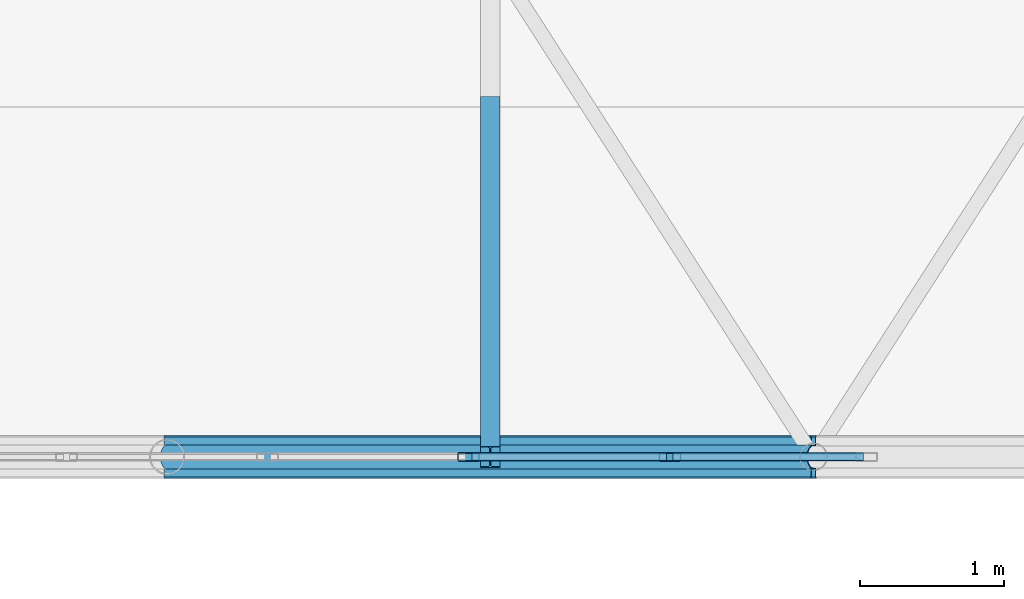
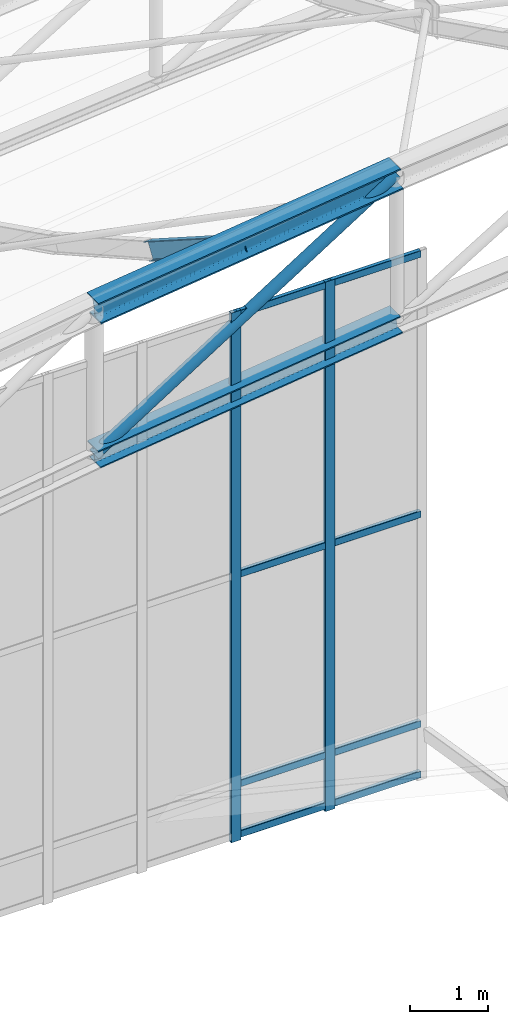
# One storey, part 137 of 262: 14 members, 1 element without a shape of its own.
"""IFC4 building model written with IfcOpenShell, lengths in metres."""

import ifcopenshell
import ifcopenshell.guid

model = None  # the IFC model being written
_history = None  # IfcOwnerHistory: only IFC2X3 demands one
_inside = {}  # id of a spatial element -> (the spatial element, [elements in it])
_under = {}  # id of a project, library or spatial element -> (it, [spatial elements below it])
_declared = {}  # id of a project -> (the project, [libraries it declares])
_typed = {}  # id of a type object -> (the type object, [elements of that type])
_made_of = {}  # id of a material, layer set ... -> (it, [elements and type objects made of it])


def new_model(schema):
    """Start an empty IFC model of exactly this schema.

    Asked for "IFC4X3", IfcOpenShell would pick the latest addendum, in which some entities
    have other attributes; the version numbers below select the first issue.
    IFC2X3 requires an IfcOwnerHistory on every rooted entity: one is made here for all.
    """
    global model, _history
    if schema == "IFC4X3":
        model = ifcopenshell.file(schema_version=(4, 3, 0, 0))
    else:
        model = ifcopenshell.file(schema=schema)
    _inside.clear()
    _under.clear()
    _declared.clear()
    _typed.clear()
    _made_of.clear()
    _history = None
    if model.schema == "IFC2X3":
        org = make("IfcOrganization", Name="unknown")
        user = make(
            "IfcPersonAndOrganization",
            ThePerson=make("IfcPerson", FamilyName="unknown"),
            TheOrganization=org,
        )
        app = make(
            "IfcApplication",
            ApplicationDeveloper=org,
            Version="unknown",
            ApplicationFullName="unknown",
            ApplicationIdentifier="unknown",
        )
        _history = make(
            "IfcOwnerHistory",
            OwningUser=user,
            OwningApplication=app,
            ChangeAction="ADDED",
            CreationDate=0,
        )
    return model


def make(cls, **values):
    """One entity of the class cls with the attributes given. An attribute that is None is left unset."""
    return model.create_entity(
        cls, **{name: value for name, value in values.items() if value is not None}
    )


def rooted(cls, **values):
    """An entity with a GlobalId (a new one), such as an element, a storey or a relation."""
    return make(cls, GlobalId=ifcopenshell.guid.new(), OwnerHistory=_history, **values)


def si_unit(unit_type, name, prefix=None):
    """IfcSIUnit, for example si_unit("LENGTHUNIT", "METRE", prefix="MILLI")."""
    return make("IfcSIUnit", UnitType=unit_type, Prefix=prefix, Name=name)


def derived_unit(unit_type, elements):
    """IfcDerivedUnit: a product of units, each with its exponent."""
    return make(
        "IfcDerivedUnit",
        Elements=[
            make("IfcDerivedUnitElement", Unit=unit, Exponent=power)
            for unit, power in elements
        ],
        UnitType=unit_type,
    )


def assignment(units):
    """IfcUnitAssignment: the units of a project."""
    return None if units is None else make("IfcUnitAssignment", Units=units)


def point(xyz):
    """IfcCartesianPoint."""
    return None if xyz is None else make("IfcCartesianPoint", Coordinates=xyz)


def direction(xyz):
    """IfcDirection."""
    return None if xyz is None else make("IfcDirection", DirectionRatios=xyz)


def frame(location, z_axis=None, x_axis=None):
    """IfcAxis2Placement3D, a coordinate frame: its origin and axes. An axis left out is left unset."""
    return make(
        "IfcAxis2Placement3D",
        Location=point(location),
        Axis=direction(z_axis),
        RefDirection=direction(x_axis),
    )


def frame_2d(location, x_axis=None):
    """IfcAxis2Placement2D, a coordinate frame in the plane: its origin and x axis."""
    return make(
        "IfcAxis2Placement2D", Location=point(location), RefDirection=direction(x_axis)
    )


def origin():
    """The frame at (0, 0, 0) with its axes left unset."""
    return frame((0.0, 0.0, 0.0))


def origin_2d():
    """The frame at (0, 0) in the plane with its x axis left unset."""
    return frame_2d((0.0, 0.0))


def place(relative_to, where):
    """IfcLocalPlacement: puts the frame where relative to a parent placement (None: the world)."""
    return make(
        "IfcLocalPlacement", PlacementRelTo=relative_to, RelativePlacement=where
    )


def context(
    kind, dimensions, precision=None, world=None, true_north=None, identifier=None
):
    """IfcGeometricRepresentationContext, for example the 3D "Model" context."""
    return make(
        "IfcGeometricRepresentationContext",
        ContextIdentifier=identifier,
        ContextType=kind,
        CoordinateSpaceDimension=dimensions,
        Precision=precision,
        WorldCoordinateSystem=world,
        TrueNorth=true_north,
    )


def subcontext(parent, identifier, kind, view, scale=None):
    """IfcGeometricRepresentationSubContext, for example "Body" below "Model"."""
    return make(
        "IfcGeometricRepresentationSubContext",
        ContextIdentifier=identifier,
        ContextType=kind,
        ParentContext=parent,
        TargetScale=scale,
        TargetView=view,
    )


def project(units=None, contexts=None):
    """IfcProject with its units and contexts."""
    return rooted(
        "IfcProject",
        Name="project",
        RepresentationContexts=contexts,
        UnitsInContext=assignment(units),
    )


def spatial(cls, under=None, at=None, **own):
    """A site, building, storey or space (cls), placed at a placement, below another one or the project."""
    s = rooted(cls, ObjectPlacement=at, **own)
    if under is not None:
        _under.setdefault(under.id(), (under, []))[1].append(s)
    return s


def profile(cls, at=None, kind="AREA", **sizes):
    """A parametric profile (cls). Its sizes go by their IFC names, for example OverallWidth=200.0."""
    return make(cls, ProfileType=kind, Position=at, **sizes)


def hollow_rectangle(**sizes):
    """IfcRectangleHollowProfileDef."""
    return profile("IfcRectangleHollowProfileDef", **sizes)


def hollow_circle(**sizes):
    """IfcCircleHollowProfileDef."""
    return profile("IfcCircleHollowProfileDef", **sizes)


def i_section(**sizes):
    """IfcIShapeProfileDef."""
    return profile("IfcIShapeProfileDef", **sizes)


def extrude(swept, where, along, depth):
    """IfcExtrudedAreaSolid: the profile swept, set in the frame where, extruded along a direction by depth."""
    return make(
        "IfcExtrudedAreaSolid",
        SweptArea=swept,
        Position=where,
        ExtrudedDirection=direction(along),
        Depth=depth,
    )


def shape(context_of_items, identifier, shape_type, items):
    """IfcShapeRepresentation: the items that make up one representation, for example the "Body"."""
    return make(
        "IfcShapeRepresentation",
        ContextOfItems=context_of_items,
        RepresentationIdentifier=identifier,
        RepresentationType=shape_type,
        Items=items,
    )


def material(Name=None, Category=None):
    """IfcMaterial."""
    return make("IfcMaterial", Name=Name, Category=Category)


def layer(
    of_material, thickness, ventilated=None, Name=None, Category=None, Priority=None
):
    """IfcMaterialLayer: one layer of a wall or slab, of a material (None: an air gap)."""
    return make(
        "IfcMaterialLayer",
        Material=of_material,
        LayerThickness=thickness,
        IsVentilated=ventilated,
        Name=Name,
        Category=Category,
        Priority=Priority,
    )


def layer_set(layers, Name=None):
    """IfcMaterialLayerSet."""
    return make("IfcMaterialLayerSet", MaterialLayers=layers, LayerSetName=Name)


def material_profile(
    of_material, cross_section, Name=None, Category=None, Priority=None
):
    """IfcMaterialProfile: a cross section and its material."""
    return make(
        "IfcMaterialProfile",
        Name=Name,
        Material=of_material,
        Profile=cross_section,
        Priority=Priority,
        Category=Category,
    )


def profile_set(profiles, Name=None, composite=None):
    """IfcMaterialProfileSet."""
    return make(
        "IfcMaterialProfileSet",
        Name=Name,
        MaterialProfiles=profiles,
        CompositeProfile=composite,
    )


def made_of(thing, what):
    """Note that an element or type object is made of a material, layer set ...; save() writes the relation."""
    if what is not None:
        _made_of.setdefault(what.id(), (what, []))[1].append(thing)
    return thing


def type_object(cls, material=None, **own):
    """A type object (cls), such as IfcWallType, which elements share."""
    return made_of(rooted(cls, **own), material)


def element(
    cls,
    number,
    at=None,
    inside=None,
    cuts=None,
    type_object=None,
    material=None,
    context=None,
    identifier="Body",
    shape_type=None,
    held_by="IfcProductDefinitionShape",
    body=None,
    shapes=None,
    **own,
):
    """One element of the class cls, such as IfcWall. Its Tag is "e" and its number.

    at: its placement. inside: the storey or other place that contains it. cuts: it is an
    opening in that element (IfcRelVoidsElement). A single representation is given by context,
    identifier, shape_type and body (its items); several are given by shapes. held_by: the class
    of the entity that holds the representations. save() writes the other relations.
    """
    e = rooted(cls, Tag="e%d" % number, ObjectPlacement=at, **own)
    if body is not None:
        shapes = [shape(context, identifier, shape_type, body)]
    if shapes is not None:
        e.Representation = make(held_by, Representations=shapes)
    if inside is not None:
        _inside.setdefault(inside.id(), (inside, []))[1].append(e)
    if cuts is not None:
        rooted(
            "IfcRelVoidsElement", RelatingBuildingElement=cuts, RelatedOpeningElement=e
        )
    if type_object is not None:
        _typed.setdefault(type_object.id(), (type_object, []))[1].append(e)
    return made_of(e, material)


def aggregate(whole, parts):
    """IfcRelAggregates: a whole, such as a stair, and the parts it consists of."""
    return rooted("IfcRelAggregates", RelatingObject=whole, RelatedObjects=parts)


def save(model, path):
    """Write the relations noted so far, then the file.

    IfcRelAggregates (storeys below a building ...), IfcRelContainedInSpatialStructure (elements
    in a storey), IfcRelDefinesByType, IfcRelAssociatesMaterial and IfcRelDeclares: one each for
    every whole, place, type object, material and project.
    """
    for whole, parts in _under.values():
        aggregate(whole, parts)
    for where, things in _inside.values():
        rooted(
            "IfcRelContainedInSpatialStructure",
            RelatedElements=things,
            RelatingStructure=where,
        )
    for kind, things in _typed.values():
        rooted("IfcRelDefinesByType", RelatedObjects=things, RelatingType=kind)
    for what, things in _made_of.values():
        rooted("IfcRelAssociatesMaterial", RelatedObjects=things, RelatingMaterial=what)
    for by, libraries in _declared.values():
        rooted("IfcRelDeclares", RelatingContext=by, RelatedDefinitions=libraries)
    model.write(path)


model = new_model("IFC4")

# Units and contexts
model_context = context("Model", 3, precision=1e-05, world=origin(), true_north=direction((0.0, 1.0)))
body_context = subcontext(model_context, "Body", "Model", "MODEL_VIEW")
ifc_project = project(units=[si_unit("LENGTHUNIT", "METRE"), si_unit("AREAUNIT", "SQUARE_METRE"), si_unit("VOLUMEUNIT", "CUBIC_METRE"), si_unit("PLANEANGLEUNIT", "RADIAN"), si_unit("MASSUNIT", "GRAM", prefix="KILO"), derived_unit("THERMALTRANSMITTANCEUNIT", [(si_unit("POWERUNIT", "WATT"), 1), (si_unit("LENGTHUNIT", "METRE"), -2), (si_unit("THERMODYNAMICTEMPERATUREUNIT", "KELVIN"), -1)])], contexts=[model_context])

# Site, building, storey
site_placement = place(None, origin())
site = spatial("IfcSite", under=ifc_project, at=site_placement, CompositionType="ELEMENT")
building_placement = place(site_placement, origin())
building = spatial("IfcBuilding", under=site, at=building_placement, Name="Almenara Railside Exhibition Hall", CompositionType="ELEMENT")
storey_placement = place(building_placement, frame((0.0, 0.0, 21.699951171875)))
storey = spatial("IfcBuildingStorey", under=building, at=storey_placement, Name="RF", CompositionType="ELEMENT", Elevation=21.699951171875)

# Members
ifc_material_1 = material(Name="Structural steel S355JR", Category="steel")
ifc_material_profile_1 = material_profile(ifc_material_1, i_section(OverallWidth=0.280029296875, OverallDepth=0.280029296875, WebThickness=0.010498046875, FlangeThickness=0.01806640625, FilletRadius=0.02392578125, at=origin_2d()), Name="HEB 280")
ifc_profile_set_1 = profile_set([ifc_material_profile_1], Name="Structural steel S355JR")
member_type_1 = type_object("IfcMemberType", Name="Arched Gable Bottom Chord HEB 280 S355JR", PredefinedType="CHORD", material=ifc_profile_set_1)
member_1_placement = place(storey_placement, frame((142.5, 34.0, 0.072265625), z_axis=(0.992612220818, 0.0, 0.121330041965), x_axis=(0.0, 1.0, 0.0)))
element("IfcMember", 1, at=member_1_placement, inside=storey, type_object=member_type_1, Name="MEM-BC-V2-00-01", PredefinedType="CHORD", context=body_context, shape_type="SweptSolid", body=[
    extrude(i_section(OverallWidth=0.280029296875, OverallDepth=0.280029296875, WebThickness=0.010498046875, FlangeThickness=0.01806640625, FilletRadius=0.02392578125, at=origin_2d()), origin(), (0.0, 0.0, 1.0), 4.533447265625),
])
ifc_material_profile_2 = material_profile(ifc_material_1, i_section(OverallWidth=0.300048828125, OverallDepth=0.340087890625, WebThickness=0.011962890625, FlangeThickness=0.021484375, FilletRadius=0.027099609375, at=origin_2d()), Name="HEB 340")
ifc_profile_set_2 = profile_set([ifc_material_profile_2], Name="Structural steel S355JR")
member_type_2 = type_object("IfcMemberType", Name="Arched Gable Top Chord HEB 340 S355JR", PredefinedType="CHORD", material=ifc_profile_set_2)
member_2_placement = place(storey_placement, frame((142.5, 34.0, 2.372314453125), z_axis=(0.992612220818, 0.0, 0.121330041965), x_axis=(0.0, 1.0, 0.0)))
element("IfcMember", 2, at=member_2_placement, inside=storey, type_object=member_type_2, Name="MEM-TC-V2-00-01", PredefinedType="CHORD", context=body_context, shape_type="SweptSolid", body=[
    extrude(i_section(OverallWidth=0.300048828125, OverallDepth=0.340087890625, WebThickness=0.011962890625, FlangeThickness=0.021484375, FilletRadius=0.027099609375, at=origin_2d()), origin(), (0.0, 0.0, 1.0), 4.533447265625),
])

# Curtain wall, members
ifc_material_2 = material(Name="Bronze-anodised aluminium and low-E double glazing", Category="aluminium")
ifc_layer = layer(ifc_material_2, 0.179931640625, Name="Bronze-anodised aluminium and low-E double glazing")
ifc_layer_set = layer_set([ifc_layer], Name="Bronze-anodised aluminium and low-E double glazing")
curtain_wall_type = type_object("IfcCurtainWallType", Name="Scroll Gable Standard Curtain Wall 3600x5000", PredefinedType="NOTDEFINED", material=ifc_layer_set)
curtain_wall_placement = place(storey_placement, origin())
curtain_wall = element("IfcCurtainWall", 3, at=curtain_wall_placement, inside=storey, type_object=curtain_wall_type, Name="Curtain wall CW-G2-214", PredefinedType="NOTDEFINED")
ifc_material_3 = material(Name="Bronze-anodised aluminium", Category="aluminium")
ifc_material_profile_3 = material_profile(ifc_material_3, hollow_rectangle(XDim=0.06005859375, YDim=0.14990234375, WallThickness=0.00341796875, InnerFilletRadius=0.00341796875, OuterFilletRadius=0.007080078125, at=origin_2d()), Name="ALU-MUL 60x150x3.5")
ifc_profile_set_3 = profile_set([ifc_material_profile_3], Name="Bronze-anodised aluminium")
member_type_3 = type_object("IfcMemberType", Name="Curtain Wall Mullion 60x150x3.5", PredefinedType="MULLION", material=ifc_profile_set_3)
member_3_placement = place(storey_placement, frame((144.60009765625, 34.0, -6.73486328125), z_axis=(0.0, 0.0, 1.0), x_axis=(0.0, 1.0, 0.0)))
member_3 = element("IfcMember", 4, at=member_3_placement, type_object=member_type_3, Name="CW-G2-214 mullion 5", PredefinedType="MULLION", context=body_context, shape_type="SweptSolid", body=[
    extrude(hollow_rectangle(XDim=0.06005859375, YDim=0.14990234375, WallThickness=0.00341796875, InnerFilletRadius=0.00341796875, OuterFilletRadius=0.007080078125, at=origin_2d()), origin(), (0.0, 0.0, 1.0), 8.3349609375),
])
member_4_placement = place(storey_placement, frame((146.0, 34.0, -6.73486328125), z_axis=(0.0, 0.0, 1.0), x_axis=(0.0, 1.0, 0.0)))
member_4 = element("IfcMember", 5, at=member_4_placement, type_object=member_type_3, Name="CW-G2-214 mullion 6", PredefinedType="MULLION", context=body_context, shape_type="SweptSolid", body=[
    extrude(hollow_rectangle(XDim=0.06005859375, YDim=0.14990234375, WallThickness=0.00341796875, InnerFilletRadius=0.00341796875, OuterFilletRadius=0.007080078125, at=origin_2d()), origin(), (0.0, 0.0, 1.0), 8.3349609375),
])
ifc_material_profile_4 = material_profile(ifc_material_3, hollow_rectangle(XDim=0.06005859375, YDim=0.110107421875, WallThickness=0.0029296875, InnerFilletRadius=0.0029296875, OuterFilletRadius=0.006103515625, at=origin_2d()), Name="ALU-TRN 60x110x3")
ifc_profile_set_4 = profile_set([ifc_material_profile_4], Name="Bronze-anodised aluminium")
member_type_4 = type_object("IfcMemberType", Name="Curtain Wall Transom 60x110x3", PredefinedType="USERDEFINED", material=ifc_profile_set_4)
member_5_placement = place(storey_placement, frame((144.6220703125, 34.0, -6.64501953125), z_axis=(1.0, 0.0, 0.0), x_axis=(0.0, 1.0, 0.0)))
member_5 = element("IfcMember", 6, at=member_5_placement, type_object=member_type_4, Name="CW-G2-214 transom 5.1", ObjectType="TRANSOM", PredefinedType="USERDEFINED", context=body_context, shape_type="SweptSolid", body=[
    extrude(hollow_rectangle(XDim=0.06005859375, YDim=0.110107421875, WallThickness=0.0029296875, InnerFilletRadius=0.0029296875, OuterFilletRadius=0.006103515625, at=origin_2d()), origin(), (0.0, 0.0, 1.0), 1.35595703125),
])
member_6_placement = place(storey_placement, frame((144.6220703125, 34.0, -5.849853515625), z_axis=(1.0, 0.0, 0.0), x_axis=(0.0, 1.0, 0.0)))
member_6 = element("IfcMember", 7, at=member_6_placement, type_object=member_type_4, Name="CW-G2-214 transom 5.2", ObjectType="TRANSOM", PredefinedType="USERDEFINED", context=body_context, shape_type="SweptSolid", body=[
    extrude(hollow_rectangle(XDim=0.06005859375, YDim=0.110107421875, WallThickness=0.0029296875, InnerFilletRadius=0.0029296875, OuterFilletRadius=0.006103515625, at=origin_2d()), origin(), (0.0, 0.0, 1.0), 1.35595703125),
])
member_7_placement = place(storey_placement, frame((144.6220703125, 34.0, -2.550048828125), z_axis=(1.0, 0.0, 0.0), x_axis=(0.0, 1.0, 0.0)))
member_7 = element("IfcMember", 8, at=member_7_placement, type_object=member_type_4, Name="CW-G2-214 transom 5.3", ObjectType="TRANSOM", PredefinedType="USERDEFINED", context=body_context, shape_type="SweptSolid", body=[
    extrude(hollow_rectangle(XDim=0.06005859375, YDim=0.110107421875, WallThickness=0.0029296875, InnerFilletRadius=0.0029296875, OuterFilletRadius=0.006103515625, at=origin_2d()), origin(), (0.0, 0.0, 1.0), 1.35595703125),
])
member_8_placement = place(storey_placement, frame((144.6220703125, 34.0, 1.545166015625), z_axis=(1.0, 0.0, 0.0), x_axis=(0.0, 1.0, 0.0)))
member_8 = element("IfcMember", 9, at=member_8_placement, type_object=member_type_4, Name="CW-G2-214 transom 5.4", ObjectType="TRANSOM", PredefinedType="USERDEFINED", context=body_context, shape_type="SweptSolid", body=[
    extrude(hollow_rectangle(XDim=0.06005859375, YDim=0.110107421875, WallThickness=0.0029296875, InnerFilletRadius=0.0029296875, OuterFilletRadius=0.006103515625, at=origin_2d()), origin(), (0.0, 0.0, 1.0), 1.35595703125),
])
member_9_placement = place(storey_placement, frame((146.02197265625, 34.0, -6.64501953125), z_axis=(1.0, 0.0, 0.0), x_axis=(0.0, 1.0, 0.0)))
member_9 = element("IfcMember", 10, at=member_9_placement, type_object=member_type_4, Name="CW-G2-214 transom 6.1", ObjectType="TRANSOM", PredefinedType="USERDEFINED", context=body_context, shape_type="SweptSolid", body=[
    extrude(hollow_rectangle(XDim=0.06005859375, YDim=0.110107421875, WallThickness=0.0029296875, InnerFilletRadius=0.0029296875, OuterFilletRadius=0.006103515625, at=origin_2d()), origin(), (0.0, 0.0, 1.0), 1.325927734375),
])
member_10_placement = place(storey_placement, frame((146.02197265625, 34.0, -5.849853515625), z_axis=(1.0, 0.0, 0.0), x_axis=(0.0, 1.0, 0.0)))
member_10 = element("IfcMember", 11, at=member_10_placement, type_object=member_type_4, Name="CW-G2-214 transom 6.2", ObjectType="TRANSOM", PredefinedType="USERDEFINED", context=body_context, shape_type="SweptSolid", body=[
    extrude(hollow_rectangle(XDim=0.06005859375, YDim=0.110107421875, WallThickness=0.0029296875, InnerFilletRadius=0.0029296875, OuterFilletRadius=0.006103515625, at=origin_2d()), origin(), (0.0, 0.0, 1.0), 1.325927734375),
])
member_11_placement = place(storey_placement, frame((146.02197265625, 34.0, -2.550048828125), z_axis=(1.0, 0.0, 0.0), x_axis=(0.0, 1.0, 0.0)))
member_11 = element("IfcMember", 12, at=member_11_placement, type_object=member_type_4, Name="CW-G2-214 transom 6.3", ObjectType="TRANSOM", PredefinedType="USERDEFINED", context=body_context, shape_type="SweptSolid", body=[
    extrude(hollow_rectangle(XDim=0.06005859375, YDim=0.110107421875, WallThickness=0.0029296875, InnerFilletRadius=0.0029296875, OuterFilletRadius=0.006103515625, at=origin_2d()), origin(), (0.0, 0.0, 1.0), 1.325927734375),
])
member_12_placement = place(storey_placement, frame((146.02197265625, 34.0, 1.545166015625), z_axis=(1.0, 0.0, 0.0), x_axis=(0.0, 1.0, 0.0)))
member_12 = element("IfcMember", 13, at=member_12_placement, type_object=member_type_4, Name="CW-G2-214 transom 6.4", ObjectType="TRANSOM", PredefinedType="USERDEFINED", context=body_context, shape_type="SweptSolid", body=[
    extrude(hollow_rectangle(XDim=0.06005859375, YDim=0.110107421875, WallThickness=0.0029296875, InnerFilletRadius=0.0029296875, OuterFilletRadius=0.006103515625, at=origin_2d()), origin(), (0.0, 0.0, 1.0), 1.325927734375),
])
aggregate(curtain_wall, [member_3, member_4, member_5, member_6, member_7, member_8, member_9, member_10, member_11, member_12])

# Members
ifc_material_profile_5 = material_profile(ifc_material_1, i_section(OverallWidth=0.135009765625, OverallDepth=0.27001953125, WebThickness=0.006591796875, FlangeThickness=0.01025390625, FilletRadius=0.014892578125, at=origin_2d()), Name="IPE 270")
ifc_profile_set_5 = profile_set([ifc_material_profile_5], Name="Structural steel S355JR")
member_type_5 = type_object("IfcMemberType", Name="East Hall Standard Purlin IPE 270 S355JR", PredefinedType="PURLIN", material=ifc_profile_set_5)
member_13_placement = place(storey_placement, frame((144.75, 34.0, 2.58056640625), z_axis=(0.0, 0.842265270347, -0.53906327492), x_axis=(-1.0, 0.0, 0.0)))
element("IfcMember", 14, at=member_13_placement, inside=storey, type_object=member_type_5, Name="MEM-PR-V2-PR-IPE270-01-00", PredefinedType="PURLIN", context=body_context, shape_type="SweptSolid", body=[
    extrude(i_section(OverallWidth=0.135009765625, OverallDepth=0.27001953125, WebThickness=0.006591796875, FlangeThickness=0.01025390625, FilletRadius=0.014892578125, at=origin_2d()), origin(), (0.0, 0.0, 1.0), 2.89306640625),
])
ifc_material_profile_6 = material_profile(ifc_material_1, hollow_circle(Radius=0.084228515625, WallThickness=0.006103515625, at=origin_2d()), Name="CHS 168.3x6")
ifc_profile_set_6 = profile_set([ifc_material_profile_6], Name="Structural steel S355JR")
member_type_6 = type_object("IfcMemberType", Name="Truss End Diagonal CHS 168.3x6 S355JR", PredefinedType="BRACE", material=ifc_profile_set_6)
member_14_placement = place(storey_placement, frame((142.5, 34.0, 0.072265625), z_axis=(0.844810788273, 0.0, 0.535065166141), x_axis=(0.0, 1.0, 0.0)))
element("IfcMember", 15, at=member_14_placement, inside=storey, type_object=member_type_6, Name="MEM-TD-V2-00-01", PredefinedType="BRACE", context=body_context, shape_type="SweptSolid", body=[
    extrude(hollow_circle(Radius=0.084228515625, WallThickness=0.006103515625, at=origin_2d()), origin(), (0.0, 0.0, 1.0), 5.32666015625),
])

save(model, "model.ifc")
